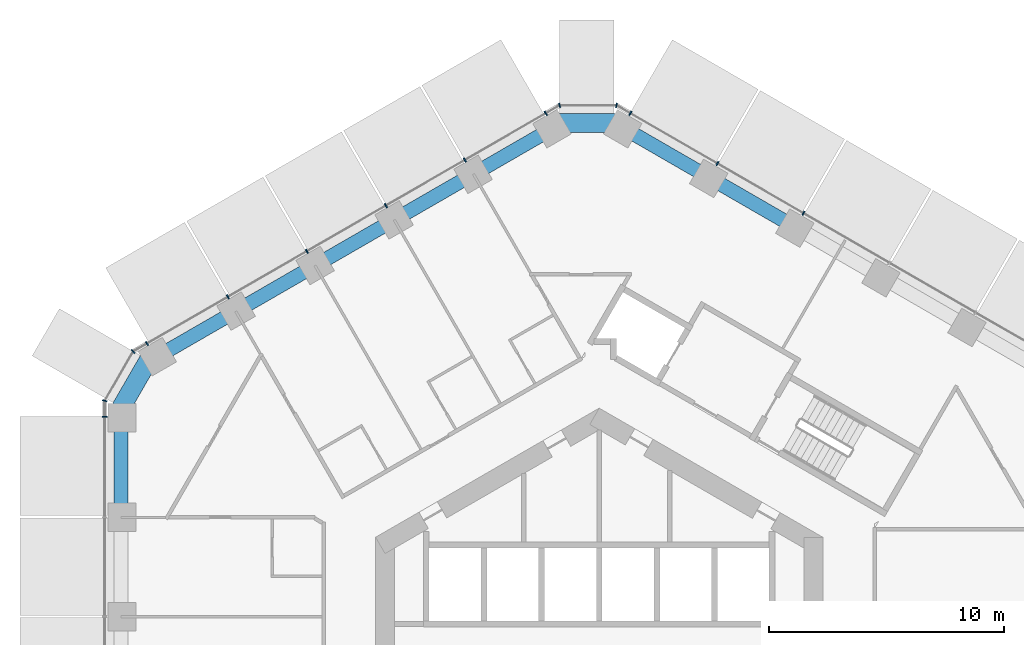
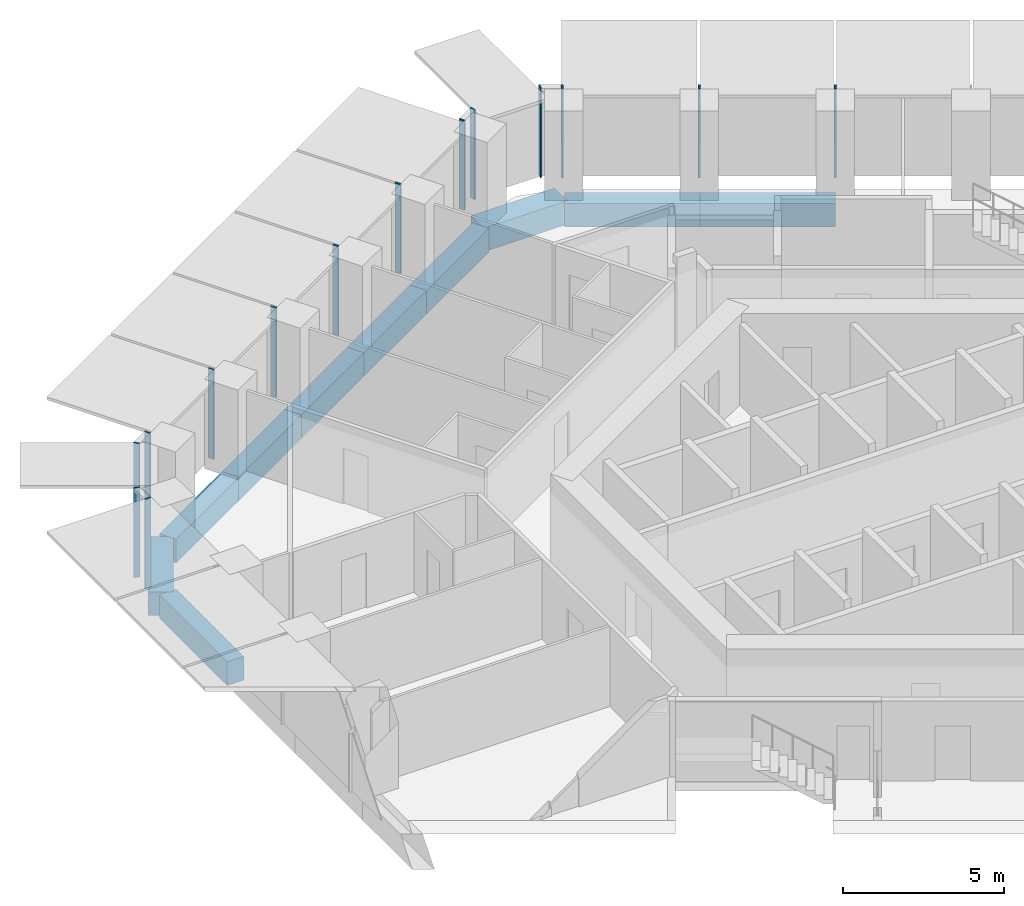
# One storey, part 5 of 19: 14 members, 10 beams, 5 elements without a shape of their own.
"""IFC4 building model written with IfcOpenShell, lengths in metres."""

from ifc_helpers import new_model, si_unit, direction, frame, origin, origin_2d, place, context, subcontext, project, spatial, rectangle, extrude, material, layer, layer_set, material_profile, profile_set, type_object, element, aggregate, save


model = new_model("IFC4")

# Units and contexts
model_context = context("Model", 3, precision=1e-05, world=origin(), true_north=direction((0.0, 1.0)))
body_context = subcontext(model_context, "Body", "Model", "MODEL_VIEW")
ifc_project = project(units=[si_unit("LENGTHUNIT", "METRE"), si_unit("AREAUNIT", "SQUARE_METRE"), si_unit("VOLUMEUNIT", "CUBIC_METRE"), si_unit("PLANEANGLEUNIT", "RADIAN"), si_unit("MASSUNIT", "GRAM", prefix="KILO")], contexts=[model_context])

# Site, building, storey
site_placement = place(None, origin())
site = spatial("IfcSite", under=ifc_project, at=site_placement, CompositionType="ELEMENT")
building_placement = place(site_placement, origin())
building = spatial("IfcBuilding", under=site, at=building_placement, Name="Ayvan Gate Tower", CompositionType="ELEMENT")
storey_placement = place(building_placement, frame((0.0, 0.0, 52.699951171875)))
storey = spatial("IfcBuildingStorey", under=building, at=storey_placement, Name="L13", CompositionType="ELEMENT", Elevation=52.699951171875)

# Beams
ifc_material_1 = material(Name="Concrete C40/50", Category="concrete")
ifc_material_profile_1 = material_profile(ifc_material_1, rectangle(XDim=0.800048828125, YDim=0.89990234375, at=origin_2d()), Name="RC 800x900")
ifc_profile_set_1 = profile_set([ifc_material_profile_1], Name="Concrete C40/50")
beam_type_1 = type_object("IfcBeamType", Name="Corner spandrel beam RC 800x900 C40/50", PredefinedType="BEAM", material=ifc_profile_set_1)
for number, where, z_axis, x_axis, name in (
    (1, (1.039306640625, 23.087890625, -0.800048828125), (-1.0, 0.0, 0.0), (0.0, -1.0, 0.0), "SB-L13-12"),
    (2, (-19.014404296875, 13.2421875, -0.800048828125), (-0.499990139034, -0.866031096941, 0.0), (0.866031096941, -0.499990139034, 0.0), "SB-L13-18"),
):
    element("IfcBeam", number, at=place(storey_placement, frame(where, z_axis=z_axis, x_axis=x_axis)), inside=storey, type_object=beam_type_1, Name=name, PredefinedType="BEAM", context=body_context, shape_type="SweptSolid", body=[
        extrude(rectangle(XDim=0.800048828125, YDim=0.89990234375, at=origin_2d()), origin(), (0.0, 0.0, 1.0), 3.0),
    ])
ifc_material_profile_2 = material_profile(ifc_material_1, rectangle(XDim=0.60009765625, YDim=0.89990234375, at=origin_2d()), Name="RC 600x900")
ifc_profile_set_2 = profile_set([ifc_material_profile_2], Name="Concrete C40/50")
beam_type_2 = type_object("IfcBeamType", Name="Spandrel beam RC 600x900 C40/50", PredefinedType="BEAM", material=ifc_profile_set_2)
beam_1_placement = place(storey_placement, frame((8.33740234375, 18.654296875, -0.800048828125), z_axis=(-0.866016734951, 0.50001501456, 0.0), x_axis=(-0.50001501456, -0.866016734951, 0.0)))
element("IfcBeam", 3, at=beam_1_placement, inside=storey, type_object=beam_type_2, Name="SB-L13-10", PredefinedType="BEAM", context=body_context, shape_type="SweptSolid", body=[
    extrude(rectangle(XDim=0.60009765625, YDim=0.89990234375, at=origin_2d()), origin(), (0.0, 0.0, 1.0), 4.213623046875),
])
beam_2_placement = place(storey_placement, frame((4.688232421875, 20.76123046875, -0.800048828125), z_axis=(-0.866027338831, 0.499996648386, 0.0), x_axis=(-0.499996648386, -0.866027338831, 0.0)))
element("IfcBeam", 4, at=beam_2_placement, inside=storey, type_object=beam_type_2, Name="SB-L13-11", PredefinedType="BEAM", context=body_context, shape_type="SweptSolid", body=[
    extrude(rectangle(XDim=0.60009765625, YDim=0.89990234375, at=origin_2d()), origin(), (0.0, 0.0, 1.0), 4.21337890625),
])
beam_3_placement = place(storey_placement, frame((-1.960693359375, 22.867919921875, -0.800048828125), z_axis=(-0.86602795451, -0.499995581988, 0.0), x_axis=(0.499995581988, -0.86602795451, 0.0)))
element("IfcBeam", 5, at=beam_3_placement, inside=storey, type_object=beam_type_2, Name="SB-L13-13", PredefinedType="BEAM", context=body_context, shape_type="SweptSolid", body=[
    extrude(rectangle(XDim=0.60009765625, YDim=0.89990234375, at=origin_2d()), origin(), (0.0, 0.0, 1.0), 3.89453125),
])
for number, where, z_axis, x_axis, name in (
    (6, (-5.33349609375, 20.920654296875, -0.800048828125), (-0.866039427992, -0.499975708574, 0.0), (0.499975708574, -0.866039427992, 0.0), "SB-L13-14"),
    (7, (-8.7060546875, 18.9736328125, -0.800048828125), (-0.866012281633, -0.500022727545, 0.0), (0.500022727545, -0.866012281633, 0.0), "SB-L13-15"),
    (8, (-12.07861328125, 17.0263671875, -0.800048828125), (-0.866039427992, -0.499975708574, 0.0), (0.499975708574, -0.866039427992, 0.0), "SB-L13-16"),
    (9, (-15.451171875, 15.079345703125, -0.800048828125), (-0.866012281633, -0.500022727545, 0.0), (0.500022727545, -0.866012281633, 0.0), "SB-L13-17"),
):
    element("IfcBeam", number, at=place(storey_placement, frame(where, z_axis=z_axis, x_axis=x_axis)), inside=storey, type_object=beam_type_2, Name=name, PredefinedType="BEAM", context=body_context, shape_type="SweptSolid", body=[
        extrude(rectangle(XDim=0.60009765625, YDim=0.89990234375, at=origin_2d()), origin(), (0.0, 0.0, 1.0), 3.894287109375),
    ])
beam_4_placement = place(storey_placement, frame((-20.32373046875, 10.533935546875, -0.800048828125), z_axis=(0.0, -1.0, 0.0), x_axis=(1.0, 0.0, 0.0)))
element("IfcBeam", 10, at=beam_4_placement, inside=storey, type_object=beam_type_2, Name="SB-L13-19", PredefinedType="BEAM", context=body_context, shape_type="SweptSolid", body=[
    extrude(rectangle(XDim=0.60009765625, YDim=0.89990234375, at=origin_2d()), origin(), (0.0, 0.0, 1.0), 4.213623046875),
])

# Curtain wall, members
ifc_material_2 = material(Name="Bronze anodised aluminium", Category="aluminium")
ifc_layer_1 = layer(ifc_material_2, 0.199951171875)
ifc_layer_set_1 = layer_set([ifc_layer_1], Name="Bronze anodised aluminium")
curtain_wall_type_1 = type_object("IfcCurtainWallType", Name="Stick curtain wall CW-1", PredefinedType="NOTDEFINED", material=ifc_layer_set_1)
curtain_wall_1_placement = place(storey_placement, origin())
curtain_wall_1 = element("IfcCurtainWall", 11, at=curtain_wall_1_placement, inside=storey, type_object=curtain_wall_type_1, Name="Stick curtain wall CW-1 L13", PredefinedType="NOTDEFINED")
ifc_material_profile_3 = material_profile(ifc_material_2, rectangle(XDim=0.199951171875, YDim=0.06005859375, at=origin_2d()), Name="Stick curtain wall CW-1 mullion 200 x 60")
ifc_profile_set_3 = profile_set([ifc_material_profile_3], Name="Bronze anodised aluminium")
member_type_1 = type_object("IfcMemberType", Name="Stick curtain wall CW-1 mullion 200 x 60", PredefinedType="MULLION", material=ifc_profile_set_3)
member_1_placement = place(storey_placement, frame((-2.27099609375, 23.4970703125, 0.0), z_axis=(0.0, 0.0, 1.0), x_axis=(-0.5, 0.866025403784, 0.0)))
member_1 = element("IfcMember", 12, at=member_1_placement, type_object=member_type_1, Name="CW-1 mullion 1", PredefinedType="MULLION", context=body_context, shape_type="SweptSolid", body=[
    extrude(rectangle(XDim=0.199951171875, YDim=0.06005859375, at=origin_2d()), origin(), (0.0, 0.0, 1.0), 3.400146484375),
])
member_2_placement = place(storey_placement, frame((-5.7099609375, 21.51171875, 0.0), z_axis=(0.0, 0.0, 1.0), x_axis=(-0.5, 0.866025403784, 0.0)))
member_2 = element("IfcMember", 13, at=member_2_placement, type_object=member_type_1, Name="CW-1 mullion 2", PredefinedType="MULLION", context=body_context, shape_type="SweptSolid", body=[
    extrude(rectangle(XDim=0.199951171875, YDim=0.06005859375, at=origin_2d()), origin(), (0.0, 0.0, 1.0), 3.400146484375),
])
member_3_placement = place(storey_placement, frame((-9.06494140625, 19.57470703125, 0.0), z_axis=(0.0, 0.0, 1.0), x_axis=(-0.5, 0.866025403784, 0.0)))
member_3 = element("IfcMember", 14, at=member_3_placement, type_object=member_type_1, Name="CW-1 mullion 3", PredefinedType="MULLION", context=body_context, shape_type="SweptSolid", body=[
    extrude(rectangle(XDim=0.199951171875, YDim=0.06005859375, at=origin_2d()), origin(), (0.0, 0.0, 1.0), 3.400146484375),
])
member_4_placement = place(storey_placement, frame((-12.419921875, 17.6376953125, 0.0), z_axis=(0.0, 0.0, 1.0), x_axis=(-0.5, 0.866025403784, 0.0)))
member_4 = element("IfcMember", 15, at=member_4_placement, type_object=member_type_1, Name="CW-1 mullion 4", PredefinedType="MULLION", context=body_context, shape_type="SweptSolid", body=[
    extrude(rectangle(XDim=0.199951171875, YDim=0.06005859375, at=origin_2d()), origin(), (0.0, 0.0, 1.0), 3.400146484375),
])
member_5_placement = place(storey_placement, frame((-15.77490234375, 15.70068359375, 0.0), z_axis=(0.0, 0.0, 1.0), x_axis=(-0.5, 0.866025403784, 0.0)))
member_5 = element("IfcMember", 16, at=member_5_placement, type_object=member_type_1, Name="CW-1 mullion 5", PredefinedType="MULLION", context=body_context, shape_type="SweptSolid", body=[
    extrude(rectangle(XDim=0.199951171875, YDim=0.06005859375, at=origin_2d()), origin(), (0.0, 0.0, 1.0), 3.400146484375),
])
member_6_placement = place(storey_placement, frame((-19.213623046875, 13.71533203125, 0.0), z_axis=(0.0, 0.0, 1.0), x_axis=(-0.5, 0.866025403784, 0.0)))
member_6 = element("IfcMember", 17, at=member_6_placement, type_object=member_type_1, Name="CW-1 mullion 6", PredefinedType="MULLION", context=body_context, shape_type="SweptSolid", body=[
    extrude(rectangle(XDim=0.199951171875, YDim=0.06005859375, at=origin_2d()), origin(), (0.0, 0.0, 1.0), 3.400146484375),
])
aggregate(curtain_wall_1, [member_1, member_2, member_3, member_4, member_5, member_6])

# Curtain wall, member
curtain_wall_2_placement = place(storey_placement, origin())
curtain_wall_2 = element("IfcCurtainWall", 18, at=curtain_wall_2_placement, inside=storey, type_object=curtain_wall_type_1, Name="Stick curtain wall CW-1 L13", PredefinedType="NOTDEFINED")
member_7_placement = place(storey_placement, frame((-21.009765625, 10.604248046875, 0.0), z_axis=(0.0, 0.0, 1.0), x_axis=(-1.0, 0.0, 0.0)))
member_7 = element("IfcMember", 19, at=member_7_placement, type_object=member_type_1, Name="CW-1 mullion 1", PredefinedType="MULLION", context=body_context, shape_type="SweptSolid", body=[
    extrude(rectangle(XDim=0.199951171875, YDim=0.06005859375, at=origin_2d()), origin(), (0.0, 0.0, 1.0), 3.400146484375),
])
aggregate(curtain_wall_2, [member_7])

# Curtain wall, members
curtain_wall_3_placement = place(storey_placement, origin())
curtain_wall_3 = element("IfcCurtainWall", 20, at=curtain_wall_3_placement, inside=storey, type_object=curtain_wall_type_1, Name="Stick curtain wall CW-1 L13", PredefinedType="NOTDEFINED")
member_8_placement = place(storey_placement, frame((8.676025390625, 19.2509765625, 0.0), z_axis=(0.0, 0.0, 1.0), x_axis=(0.5, 0.866025403784, 0.0)))
member_8 = element("IfcMember", 21, at=member_8_placement, type_object=member_type_1, Name="CW-1 mullion 4", PredefinedType="MULLION", context=body_context, shape_type="SweptSolid", body=[
    extrude(rectangle(XDim=0.199951171875, YDim=0.06005859375, at=origin_2d()), origin(), (0.0, 0.0, 1.0), 3.400146484375),
])
member_9_placement = place(storey_placement, frame((5.01806640625, 21.363037109375, 0.0), z_axis=(0.0, 0.0, 1.0), x_axis=(0.5, 0.866025403784, 0.0)))
member_9 = element("IfcMember", 22, at=member_9_placement, type_object=member_type_1, Name="CW-1 mullion 5", PredefinedType="MULLION", context=body_context, shape_type="SweptSolid", body=[
    extrude(rectangle(XDim=0.199951171875, YDim=0.06005859375, at=origin_2d()), origin(), (0.0, 0.0, 1.0), 3.400146484375),
])
member_10_placement = place(storey_placement, frame((1.3212890625, 23.4970703125, 0.0), z_axis=(0.0, 0.0, 1.0), x_axis=(0.5, 0.866025403784, 0.0)))
member_10 = element("IfcMember", 23, at=member_10_placement, type_object=member_type_1, Name="CW-1 mullion 6", PredefinedType="MULLION", context=body_context, shape_type="SweptSolid", body=[
    extrude(rectangle(XDim=0.199951171875, YDim=0.06005859375, at=origin_2d()), origin(), (0.0, 0.0, 1.0), 3.400146484375),
])
aggregate(curtain_wall_3, [member_8, member_9, member_10])

ifc_layer_2 = layer(ifc_material_2, 0.199951171875)
ifc_layer_set_2 = layer_set([ifc_layer_2], Name="Bronze anodised aluminium")
curtain_wall_type_2 = type_object("IfcCurtainWallType", Name="Stick curtain wall CW-6", PredefinedType="NOTDEFINED", material=ifc_layer_set_2)
curtain_wall_4_placement = place(storey_placement, origin())
curtain_wall_4 = element("IfcCurtainWall", 24, at=curtain_wall_4_placement, inside=storey, type_object=curtain_wall_type_2, Name="Stick curtain wall CW-6 L13", PredefinedType="NOTDEFINED")
ifc_material_profile_4 = material_profile(ifc_material_2, rectangle(XDim=0.199951171875, YDim=0.050048828125, at=origin_2d()), Name="Stick curtain wall CW-6 mullion 200 x 50")
ifc_profile_set_4 = profile_set([ifc_material_profile_4], Name="Bronze anodised aluminium")
member_type_2 = type_object("IfcMemberType", Name="Stick curtain wall CW-6 mullion 200 x 50", PredefinedType="MULLION", material=ifc_profile_set_4)
member_11_placement = place(storey_placement, frame((-19.802490234375, 13.375244140625, 0.0), z_axis=(0.0, 0.0, 1.0), x_axis=(-0.707106781187, 0.707106781187, 0.0)))
member_11 = element("IfcMember", 25, at=member_11_placement, type_object=member_type_2, Name="CW-6 mullion 2", PredefinedType="MULLION", context=body_context, shape_type="SweptSolid", body=[
    extrude(rectangle(XDim=0.199951171875, YDim=0.050048828125, at=origin_2d()), origin(), (0.0, 0.0, 1.0), 3.400146484375),
])
member_12_placement = place(storey_placement, frame((-21.009765625, 11.2841796875, 0.0), z_axis=(0.0, 0.0, 1.0), x_axis=(-0.965925826289, 0.258819045103, 0.0)))
member_12 = element("IfcMember", 26, at=member_12_placement, type_object=member_type_2, Name="CW-6 mullion 3", PredefinedType="MULLION", context=body_context, shape_type="SweptSolid", body=[
    extrude(rectangle(XDim=0.199951171875, YDim=0.050048828125, at=origin_2d()), origin(), (0.0, 0.0, 1.0), 3.400146484375),
])
aggregate(curtain_wall_4, [member_11, member_12])

curtain_wall_5_placement = place(storey_placement, origin())
curtain_wall_5 = element("IfcCurtainWall", 27, at=curtain_wall_5_placement, inside=storey, type_object=curtain_wall_type_2, Name="Stick curtain wall CW-6 L13", PredefinedType="NOTDEFINED")
member_13_placement = place(storey_placement, frame((0.732421875, 23.837158203125, 0.0), z_axis=(0.0, 0.0, 1.0), x_axis=(0.258819045103, 0.965925826289, 0.0)))
member_13 = element("IfcMember", 28, at=member_13_placement, type_object=member_type_2, Name="CW-6 mullion 2", PredefinedType="MULLION", context=body_context, shape_type="SweptSolid", body=[
    extrude(rectangle(XDim=0.199951171875, YDim=0.050048828125, at=origin_2d()), origin(), (0.0, 0.0, 1.0), 3.400146484375),
])
member_14_placement = place(storey_placement, frame((-1.68212890625, 23.837158203125, 0.0), z_axis=(0.0, 0.0, 1.0), x_axis=(-0.258819045103, 0.965925826289, 0.0)))
member_14 = element("IfcMember", 29, at=member_14_placement, type_object=member_type_2, Name="CW-6 mullion 3", PredefinedType="MULLION", context=body_context, shape_type="SweptSolid", body=[
    extrude(rectangle(XDim=0.199951171875, YDim=0.050048828125, at=origin_2d()), origin(), (0.0, 0.0, 1.0), 3.400146484375),
])
aggregate(curtain_wall_5, [member_13, member_14])

save(model, "model.ifc")
